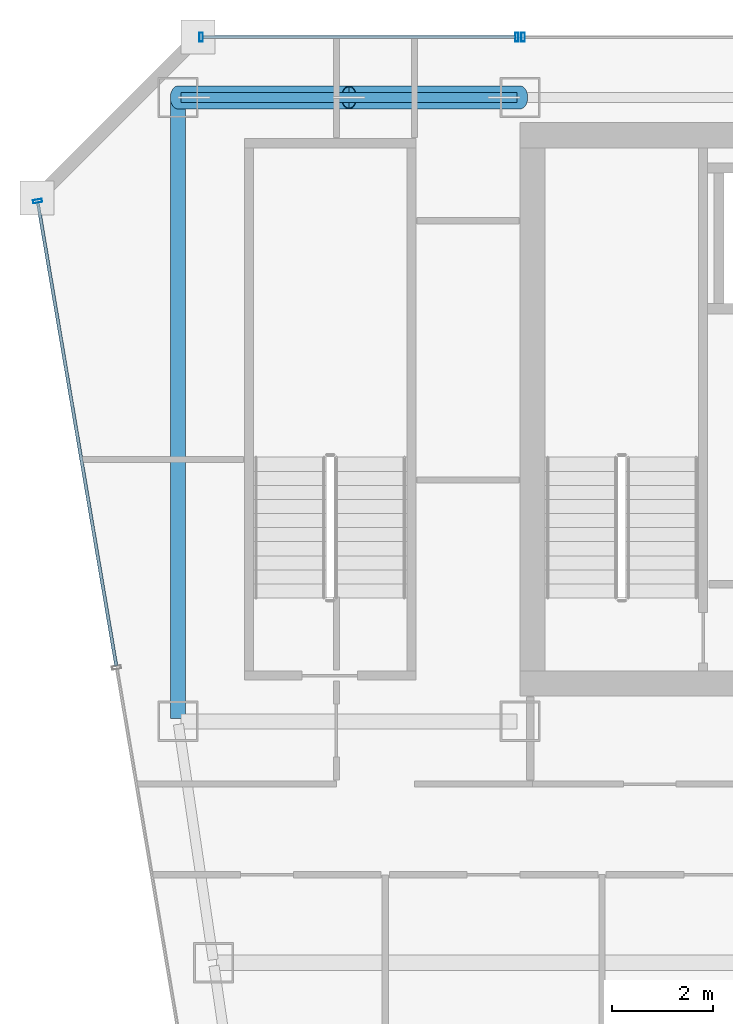
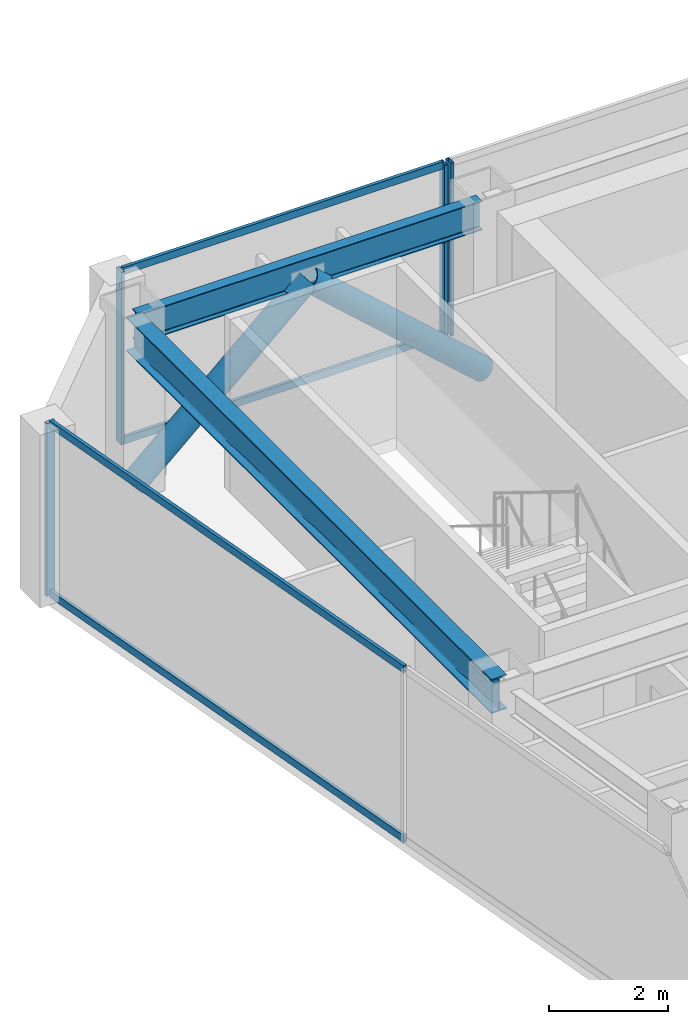
# One storey, part 23 of 35: 10 members, 2 beams, 3 elements without a shape of their own.
"""IFC4 building model written with IfcOpenShell, lengths in metres."""

from ifc_helpers import new_model, si_unit, direction, frame, origin, origin_2d, place, context, subcontext, project, spatial, hollow_rectangle, hollow_circle, i_section, extrude, material, material_profile, profile_set, type_object, element, aggregate, save


model = new_model("IFC4")

# Units and contexts
model_context = context("Model", 3, precision=1e-05, world=origin(), true_north=direction((0.0, 1.0)))
body_context = subcontext(model_context, "Body", "Model", "MODEL_VIEW")
ifc_project = project(units=[si_unit("LENGTHUNIT", "METRE"), si_unit("AREAUNIT", "SQUARE_METRE"), si_unit("VOLUMEUNIT", "CUBIC_METRE"), si_unit("PLANEANGLEUNIT", "RADIAN"), si_unit("MASSUNIT", "GRAM", prefix="KILO")], contexts=[model_context])

# Site, building, storey
site_placement = place(None, origin())
site = spatial("IfcSite", under=ifc_project, at=site_placement, CompositionType="ELEMENT")
building_placement = place(site_placement, origin())
building = spatial("IfcBuilding", under=site, at=building_placement, Name="Saevonmaru Cultural Tower", CompositionType="ELEMENT")
storey_placement = place(building_placement, frame((0.0, 0.0, 190.39990234375)))
storey = spatial("IfcBuildingStorey", under=building, at=storey_placement, Name="L43", CompositionType="ELEMENT", Elevation=190.39990234375)

# Beams
ifc_material_1 = material(Name="Steel SM355", Category="steel")
ifc_material_profile_1 = material_profile(ifc_material_1, i_section(OverallWidth=0.300048828125, OverallDepth=0.699951171875, WebThickness=0.012939453125, FlangeThickness=0.02392578125, FilletRadius=0.02587890625, at=origin_2d()), Name="H-700x300x13x24")
ifc_profile_set_1 = profile_set([ifc_material_profile_1], Name="Steel SM355")
beam_type_1 = type_object("IfcBeamType", Name="BM-G-H700", PredefinedType="BEAM", material=ifc_profile_set_1)
beam_1_placement = place(storey_placement, frame((6.800048828125, 54.739990234375, 3.2001953125), z_axis=(0.0, -1.0, 0.0), x_axis=(1.0, 0.0, 0.0)))
element("IfcBeam", 1, at=beam_1_placement, inside=storey, type_object=beam_type_1, Name="L43 Spine Transverse Girder W", PredefinedType="BEAM", context=body_context, shape_type="SweptSolid", body=[
    extrude(i_section(OverallWidth=0.300048828125, OverallDepth=0.699951171875, WebThickness=0.012939453125, FlangeThickness=0.02392578125, FilletRadius=0.02587890625, at=origin_2d()), origin(), (0.0, 0.0, 1.0), 12.280029296875),
])
ifc_material_profile_2 = material_profile(ifc_material_1, i_section(OverallWidth=0.199951171875, OverallDepth=0.60009765625, WebThickness=0.010986328125, FlangeThickness=0.01708984375, FilletRadius=0.02197265625, at=origin_2d()), Name="H-600x200x11x17")
ifc_profile_set_2 = profile_set([ifc_material_profile_2], Name="Steel SM355")
beam_type_2 = type_object("IfcBeamType", Name="BM-SP-H600", PredefinedType="SPANDREL", material=ifc_profile_set_2)
beam_2_placement = place(storey_placement, frame((6.860107421875, 54.800048828125, 3.25), z_axis=(1.0, 0.0, 0.0), x_axis=(0.0, 1.0, 0.0)))
element("IfcBeam", 2, at=beam_2_placement, inside=storey, type_object=beam_type_2, Name="L43 North Spine Girder 1", PredefinedType="SPANDREL", context=body_context, shape_type="SweptSolid", body=[
    extrude(i_section(OverallWidth=0.199951171875, OverallDepth=0.60009765625, WebThickness=0.010986328125, FlangeThickness=0.01708984375, FilletRadius=0.02197265625, at=origin_2d()), origin(), (0.0, 0.0, 1.0), 6.679931640625),
])

# Members
ifc_material_2 = material(Name="Steel SM420", Category="steel")
ifc_material_profile_3 = material_profile(ifc_material_2, hollow_circle(Radius=0.228515625, WallThickness=0.02001953125, at=origin_2d()), Name="CHS-457.2x20")
ifc_profile_set_3 = profile_set([ifc_material_profile_3], Name="Steel SM420")
member_type_1 = type_object("IfcMemberType", Name="MB-PBR-CHS457", PredefinedType="BRACE", material=ifc_profile_set_3)
for number, where, z_axis, x_axis, name in (
    (3, (6.800048828125, 54.800048828125, 0.02001953125), (0.744366945704, 0.0, 0.667770806597), (0.0, 1.0, 0.0), "L43 Perimeter Braced-Tube Diagonal WN1"),
    (4, (13.60009765625, 54.800048828125, 0.02001953125), (-0.744390779303, 0.0, 0.66774423823), (0.0, -1.0, 0.0), "L43 Perimeter Braced-Tube Diagonal WN2"),
):
    element("IfcMember", number, at=place(storey_placement, frame(where, z_axis=z_axis, x_axis=x_axis)), inside=storey, type_object=member_type_1, Name=name, PredefinedType="BRACE", context=body_context, shape_type="SweptSolid", body=[
        extrude(hollow_circle(Radius=0.228515625, WallThickness=0.02001953125, at=origin_2d()), origin(), (0.0, 0.0, 1.0), 4.567626953125),
    ])

# Curtain wall, member
ifc_material_3 = material(Name="Satin Bronze Anodised Aluminium", Category="aluminium")
curtain_wall_type = type_object("IfcCurtainWallType", Name="CW-TYP-B", PredefinedType="NOTDEFINED", material=ifc_material_3)
curtain_wall_1_placement = place(storey_placement, origin())
curtain_wall_1 = element("IfcCurtainWall", 5, at=curtain_wall_1_placement, inside=storey, type_object=curtain_wall_type, Name="L43 North Spine Unitised Curtain Wall E10B", PredefinedType="NOTDEFINED")
ifc_material_profile_4 = material_profile(ifc_material_3, hollow_rectangle(XDim=0.06494140625, YDim=0.179931640625, WallThickness=0.00390625, at=origin_2d()), Name="ALU-MULL-180x65x4")
ifc_profile_set_4 = profile_set([ifc_material_profile_4], Name="Satin Bronze Anodised Aluminium")
member_type_2 = type_object("IfcMemberType", Name="ML-CW-180x65", PredefinedType="MULLION", material=ifc_profile_set_4)
member_1_placement = place(storey_placement, frame((13.659912109375, 56.0, 0.0), z_axis=(0.0, 0.0, 1.0), x_axis=(-1.0, 0.0, 0.0)))
member_1 = element("IfcMember", 6, at=member_1_placement, type_object=member_type_2, Name="CW-TW-L43-E10B mullion 4", PredefinedType="MULLION", context=body_context, shape_type="SweptSolid", body=[
    extrude(hollow_rectangle(XDim=0.06494140625, YDim=0.179931640625, WallThickness=0.00390625, at=origin_2d()), origin(), (0.0, 0.0, 1.0), 3.550048828125),
])
aggregate(curtain_wall_1, [member_1])

# Curtain wall, members
curtain_wall_2_placement = place(storey_placement, origin())
curtain_wall_2 = element("IfcCurtainWall", 7, at=curtain_wall_2_placement, inside=storey, type_object=curtain_wall_type, Name="L43 West Braced Bay Spandrel Curtain Wall E10C", PredefinedType="NOTDEFINED")
member_2_placement = place(storey_placement, frame((13.5400390625, 56.0, 0.0), z_axis=(0.0, 0.0, 1.0), x_axis=(-1.0, 0.0, 0.0)))
member_2 = element("IfcMember", 8, at=member_2_placement, type_object=member_type_2, Name="CW-TW-L43-E10C mullion 1", PredefinedType="MULLION", context=body_context, shape_type="SweptSolid", body=[
    extrude(hollow_rectangle(XDim=0.06494140625, YDim=0.179931640625, WallThickness=0.00390625, at=origin_2d()), origin(), (0.0, 0.0, 1.0), 3.550048828125),
])
member_3_placement = place(storey_placement, frame((7.260009765625, 56.0, 0.0), z_axis=(0.0, 0.0, 1.0), x_axis=(-1.0, 0.0, 0.0)))
member_3 = element("IfcMember", 9, at=member_3_placement, type_object=member_type_2, Name="CW-TW-L43-E10C mullion 2", PredefinedType="MULLION", context=body_context, shape_type="SweptSolid", body=[
    extrude(hollow_rectangle(XDim=0.06494140625, YDim=0.179931640625, WallThickness=0.00390625, at=origin_2d()), origin(), (0.0, 0.0, 1.0), 3.550048828125),
])

# Curtain wall, member
curtain_wall_3_placement = place(storey_placement, origin())
curtain_wall_3 = element("IfcCurtainWall", 10, at=curtain_wall_3_placement, inside=storey, type_object=curtain_wall_type, Name="L43 Unitised Curtain Wall E12", PredefinedType="NOTDEFINED")
member_4_placement = place(storey_placement, frame((4.010009765625, 52.74072265625, 0.0), z_axis=(0.0, 0.0, 1.0), x_axis=(0.16692169721, -0.985970155228, 0.0)))
member_4 = element("IfcMember", 11, at=member_4_placement, type_object=member_type_2, Name="CW-TW-L43-E12 mullion 1", PredefinedType="MULLION", context=body_context, shape_type="SweptSolid", body=[
    extrude(hollow_rectangle(XDim=0.06494140625, YDim=0.179931640625, WallThickness=0.00390625, at=origin_2d()), origin(), (0.0, 0.0, 1.0), 3.550048828125),
])

# Member
ifc_material_profile_5 = material_profile(ifc_material_3, hollow_rectangle(XDim=0.06494140625, YDim=0.14990234375, WallThickness=0.00390625, at=origin_2d()), Name="ALU-TRAN-150x65x4")
ifc_profile_set_5 = profile_set([ifc_material_profile_5], Name="Satin Bronze Anodised Aluminium")
member_type_3 = type_object("IfcMemberType", Name="TR-CW-150x65", PredefinedType="USERDEFINED", material=ifc_profile_set_5)
member_5_placement = place(storey_placement, frame((13.507568359375, 56.0, 0.03271484375), z_axis=(-1.0, 0.0, 0.0), x_axis=(0.0, -1.0, 0.0)))
member_5 = element("IfcMember", 12, at=member_5_placement, type_object=member_type_3, Name="CW-TW-L43-E10C transom 1.1", ObjectType="TRANSOM", PredefinedType="USERDEFINED", context=body_context, shape_type="SweptSolid", body=[
    extrude(hollow_rectangle(XDim=0.06494140625, YDim=0.14990234375, WallThickness=0.00390625, at=origin_2d()), origin(), (0.0, 0.0, 1.0), 6.215087890625),
])

member_6_placement = place(storey_placement, frame((13.507568359375, 56.0, 3.517578125), z_axis=(-1.0, 0.0, 0.0), x_axis=(0.0, -1.0, 0.0)))
member_6 = element("IfcMember", 13, at=member_6_placement, type_object=member_type_3, Name="CW-TW-L43-E10C transom 1.2", ObjectType="TRANSOM", PredefinedType="USERDEFINED", context=body_context, shape_type="SweptSolid", body=[
    extrude(hollow_rectangle(XDim=0.06494140625, YDim=0.14990234375, WallThickness=0.00390625, at=origin_2d()), origin(), (0.0, 0.0, 1.0), 6.215087890625),
])

aggregate(curtain_wall_2, [member_2, member_3, member_5, member_6])

member_7_placement = place(storey_placement, frame((4.015380859375, 52.708740234375, 0.03271484375), z_axis=(0.166921263871, -0.985970228591, 0.0), x_axis=(0.985970228591, 0.166921263871, 0.0)))
member_7 = element("IfcMember", 14, at=member_7_placement, type_object=member_type_3, Name="CW-TW-L43-E12 transom 1.1", ObjectType="TRANSOM", PredefinedType="USERDEFINED", context=body_context, shape_type="SweptSolid", body=[
    extrude(hollow_rectangle(XDim=0.06494140625, YDim=0.14990234375, WallThickness=0.00390625, at=origin_2d()), origin(), (0.0, 0.0, 1.0), 9.33740234375),
])

member_8_placement = place(storey_placement, frame((4.015380859375, 52.708740234375, 3.517578125), z_axis=(0.166921263871, -0.985970228591, 0.0), x_axis=(0.985970228591, 0.166921263871, 0.0)))
member_8 = element("IfcMember", 15, at=member_8_placement, type_object=member_type_3, Name="CW-TW-L43-E12 transom 1.2", ObjectType="TRANSOM", PredefinedType="USERDEFINED", context=body_context, shape_type="SweptSolid", body=[
    extrude(hollow_rectangle(XDim=0.06494140625, YDim=0.14990234375, WallThickness=0.00390625, at=origin_2d()), origin(), (0.0, 0.0, 1.0), 9.33740234375),
])

aggregate(curtain_wall_3, [member_4, member_7, member_8])

save(model, "model.ifc")
